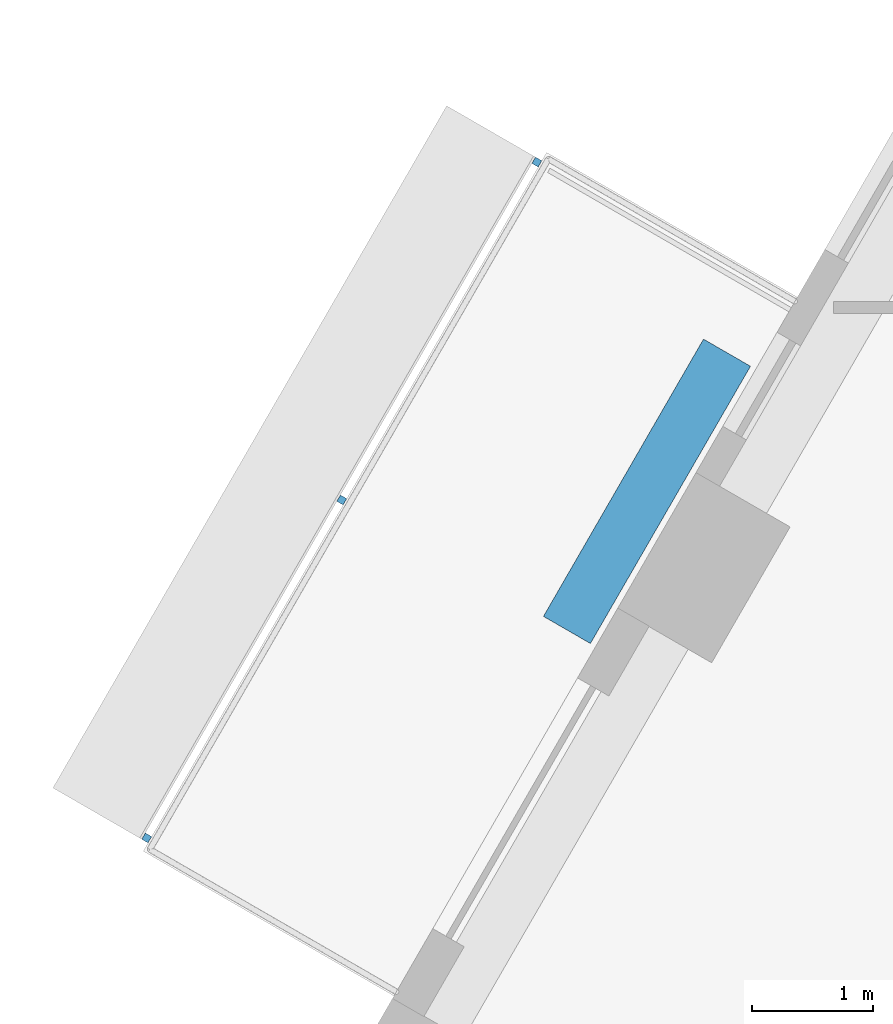
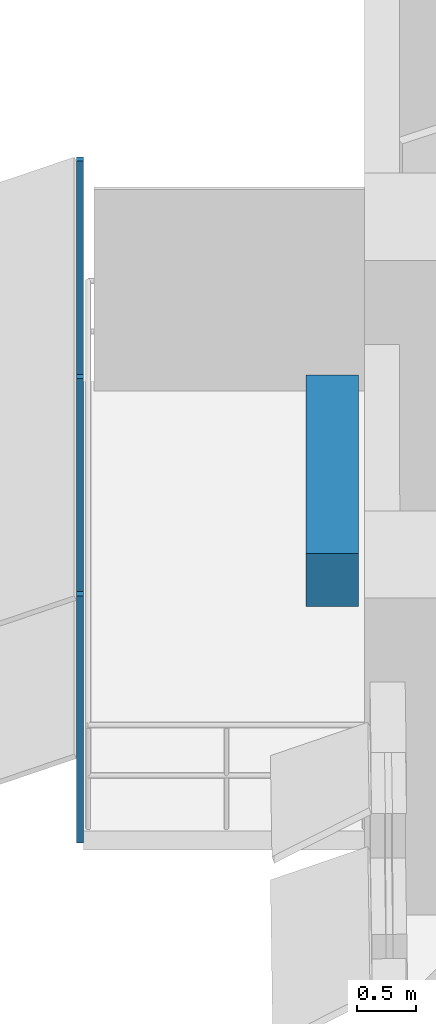
# One storey, part 10 of 13: 4 discrete accessories.
"""IFC4 building model written with IfcOpenShell, lengths in metres."""

from ifc_helpers import new_model, si_unit, direction, frame, origin, origin_2d, place, context, subcontext, project, spatial, rectangle, extrude, material, type_object, element, save


model = new_model("IFC4")

# Units and contexts
model_context = context("Model", 3, precision=1e-05, world=origin(), true_north=direction((0.0, 1.0)))
body_context = subcontext(model_context, "Body", "Model", "MODEL_VIEW")
ifc_project = project(units=[si_unit("LENGTHUNIT", "METRE"), si_unit("AREAUNIT", "SQUARE_METRE"), si_unit("VOLUMEUNIT", "CUBIC_METRE"), si_unit("PLANEANGLEUNIT", "RADIAN"), si_unit("MASSUNIT", "GRAM", prefix="KILO")], contexts=[model_context])

# Site, building, storey
site_placement = place(None, origin())
site = spatial("IfcSite", under=ifc_project, at=site_placement, CompositionType="ELEMENT")
building_placement = place(site_placement, origin())
building = spatial("IfcBuilding", under=site, at=building_placement, Name="Nakaniwa Court", CompositionType="ELEMENT")
storey_placement = place(building_placement, frame((0.0, 0.0, 153.60009765625)))
storey = spatial("IfcBuildingStorey", under=building, at=storey_placement, Name="L40", CompositionType="ELEMENT", Elevation=153.60009765625)

# Discrete accessories
ifc_material_1 = material(Name="Black powder-coated steel bracket S275", Category="steel")
discrete_accessory_type_1 = type_object("IfcDiscreteAccessoryType", Name="Black metal louvre bracket", PredefinedType="BRACKET", material=ifc_material_1)
for number, where, z_axis, x_axis, name in (
    (1, (58.307373046875, 95.287353515625, -0.22998046875), (0.0, 0.0, 1.0), (-0.499975815814, -0.866039366081, 0.0), "L40 louvre bracket 01 1"),
    (2, (56.690185546875, 92.486328125, -0.22998046875), (0.0, 0.0, 1.0), (-0.499975815814, -0.866039366081, 0.0), "L40 louvre bracket 01 2"),
    (3, (55.072998046875, 89.68505859375, -0.22998046875), (0.0, 0.0, 1.0), (-0.499975815814, -0.866039366081, 0.0), "L40 louvre bracket 01 3"),
):
    element("IfcDiscreteAccessory", number, at=place(storey_placement, frame(where, z_axis=z_axis, x_axis=x_axis)), inside=storey, type_object=discrete_accessory_type_1, Name=name, PredefinedType="BRACKET", context=body_context, shape_type="SweptSolid", body=[
        extrude(rectangle(XDim=0.06005859375, YDim=0.06005859375, at=origin_2d()), origin(), (0.0, 0.0, 1.0), 2.5751953125),
    ])
ifc_material_2 = material(Name="Precast concrete C40/50 planter with planted soil", Category="concrete")
discrete_accessory_type_2 = type_object("IfcDiscreteAccessoryType", Name="Planter box charcoal concrete", PredefinedType="USERDEFINED", material=ifc_material_2)
discrete_accessory_placement = place(storey_placement, frame((59.219970703125, 92.55810546875, -0.05029296875), z_axis=(0.0, 0.0, 1.0), x_axis=(-0.499975815814, -0.866039366081, 0.0)))
element("IfcDiscreteAccessory", 4, at=discrete_accessory_placement, inside=storey, type_object=discrete_accessory_type_2, Name="L40 balcony PLANTER 01", ObjectType="PLANTER", PredefinedType="USERDEFINED", context=body_context, shape_type="SweptSolid", body=[
    extrude(rectangle(XDim=2.654296875, YDim=0.449951171875, at=origin_2d()), origin(), (0.0, 0.0, 1.0), 0.550048828125),
])

save(model, "model.ifc")
